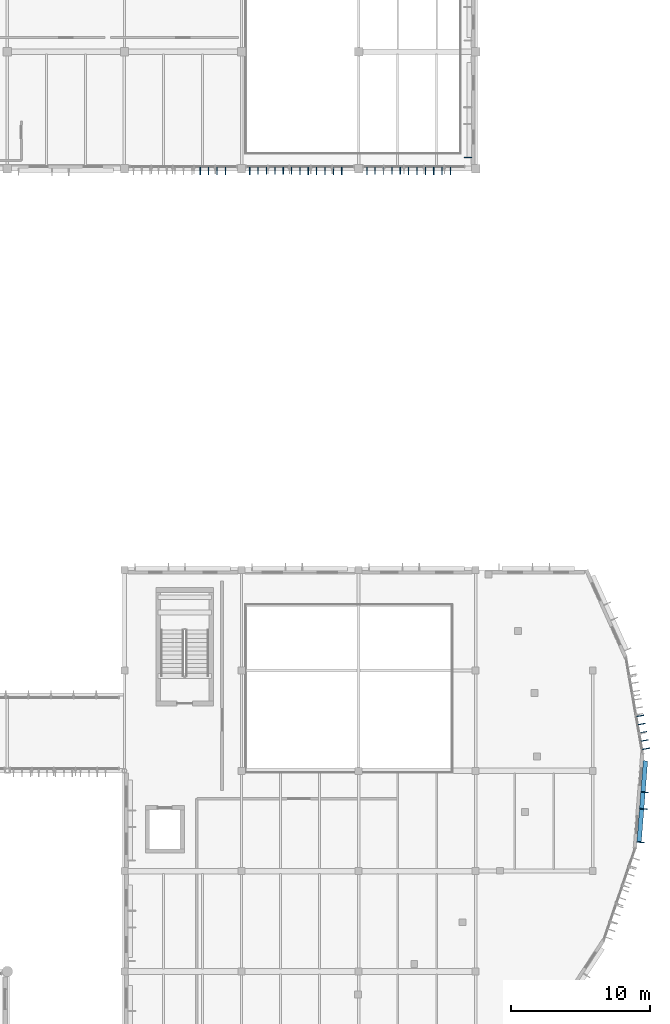
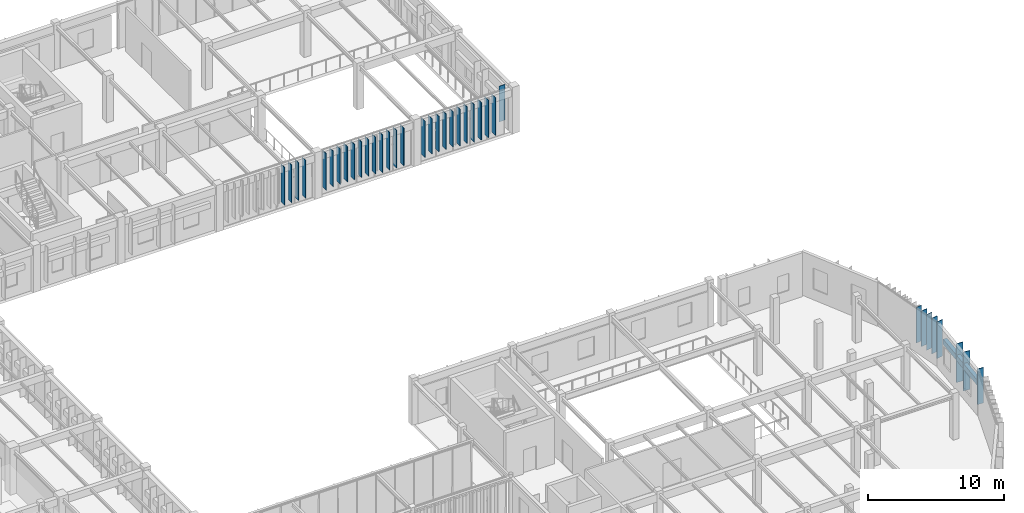
# One storey, part 33 of 122: 37 plates.
"""IFC4 building model written with IfcOpenShell, lengths in metres."""

from ifc_helpers import new_model, si_unit, direction, frame, origin, origin_2d, place, context, subcontext, project, spatial, rectangle, extrude, material, layer, layer_set, type_object, element, save


model = new_model("IFC4")

# Units and contexts
model_context = context("Model", 3, precision=1e-05, world=origin(), true_north=direction((0.0, 1.0)))
body_context = subcontext(model_context, "Body", "Model", "MODEL_VIEW")
ifc_project = project(units=[si_unit("LENGTHUNIT", "METRE"), si_unit("AREAUNIT", "SQUARE_METRE"), si_unit("VOLUMEUNIT", "CUBIC_METRE"), si_unit("PLANEANGLEUNIT", "RADIAN"), si_unit("MASSUNIT", "GRAM", prefix="KILO")], contexts=[model_context])

# Site, building, storey
site_placement = place(None, origin())
site = spatial("IfcSite", under=ifc_project, at=site_placement, CompositionType="ELEMENT")
building_placement = place(site_placement, origin())
building = spatial("IfcBuilding", under=site, at=building_placement, Name="Tazoul Stagehouse", CompositionType="ELEMENT")
storey_placement = place(building_placement, frame((0.0, 0.0, 4.800048828125)))
storey = spatial("IfcBuildingStorey", under=building, at=storey_placement, Name="L01", CompositionType="ELEMENT", Elevation=4.800048828125)

# Plates
ifc_material = material(Name="Anodised Bronze Aluminium 6063-T6", Category="aluminium")
ifc_layer_1 = layer(ifc_material, 0.52001953125, Name="Anodised Bronze Aluminium 6063-T6")
ifc_layer_set_1 = layer_set([ifc_layer_1], Name="Anodised Bronze Aluminium 6063-T6")
plate_type_1 = type_object("IfcPlateType", Name="Parametric Terracotta-Bronze Solar Fin 520x3200", PredefinedType="USERDEFINED", material=ifc_layer_set_1)
for number, where, z_axis, x_axis, name in (
    (1, (162.4248046875, 39.472900390625, 0.6201171875), (0.0, 0.0, 1.0), (0.078622649876, 0.996904448243, 0.0), "L01 Parametric Solar Fin SFN-18 (WALL-V4-DRUM-L01-S08-S1-01)"),
    (2, (162.72119140625, 46.770751953125, 0.68994140625), (0.0, 0.0, 1.0), (-0.171495809953, 0.985184849238, 0.0), "L01 Parametric Solar Fin SFN-18 (CW-V4-DRUM-L01-S09-02)"),
    (3, (162.618408203125, 47.36181640625, 0.68994140625), (0.0, 0.0, 1.0), (-0.171495809953, 0.985184849238, 0.0), "L01 Parametric Solar Fin SFN-18 (CW-V4-DRUM-L01-S09-03)"),
    (4, (162.515380859375, 47.952880859375, 0.68994140625), (0.0, 0.0, 1.0), (-0.171495809953, 0.985184849238, 0.0), "L01 Parametric Solar Fin SFN-18 (CW-V4-DRUM-L01-S09-04)"),
    (5, (162.41259765625, 48.5439453125, 0.68994140625), (0.0, 0.0, 1.0), (-0.171495809953, 0.985184849238, 0.0), "L01 Parametric Solar Fin SFN-18 (CW-V4-DRUM-L01-S09-05)"),
    (6, (134.989990234375, 87.64990234375, 0.68994140625), (0.0, 0.0, 1.0), (1.0, 0.0, 0.0), "L01 Parametric Solar Fin SFN-18 (CW-V3-S2-L01-B2-02)"),
    (7, (135.590087890625, 87.64990234375, 0.68994140625), (0.0, 0.0, 1.0), (1.0, 0.0, 0.0), "L01 Parametric Solar Fin SFN-18 (CW-V3-S2-L01-B2-03)"),
    (8, (136.18994140625, 87.64990234375, 0.68994140625), (0.0, 0.0, 1.0), (1.0, 0.0, 0.0), "L01 Parametric Solar Fin SFN-18 (CW-V3-S2-L01-B2-04)"),
    (9, (136.7900390625, 87.64990234375, 0.68994140625), (0.0, 0.0, 1.0), (1.0, 0.0, 0.0), "L01 Parametric Solar Fin SFN-18 (CW-V3-S2-L01-B2-05)"),
    (10, (137.389892578125, 87.64990234375, 0.68994140625), (0.0, 0.0, 1.0), (1.0, 0.0, 0.0), "L01 Parametric Solar Fin SFN-18 (CW-V3-S2-L01-B2-06)"),
    (11, (143.389892578125, 87.64990234375, 0.68994140625), (0.0, 0.0, 1.0), (1.0, 0.0, 0.0), "L01 Parametric Solar Fin SFN-18 (CW-V3-S2-L01-B3-02)"),
    (12, (143.989990234375, 87.64990234375, 0.68994140625), (0.0, 0.0, 1.0), (1.0, 0.0, 0.0), "L01 Parametric Solar Fin SFN-18 (CW-V3-S2-L01-B3-03)"),
    (13, (144.590087890625, 87.64990234375, 0.68994140625), (0.0, 0.0, 1.0), (1.0, 0.0, 0.0), "L01 Parametric Solar Fin SFN-18 (CW-V3-S2-L01-B3-04)"),
    (14, (145.18994140625, 87.64990234375, 0.68994140625), (0.0, 0.0, 1.0), (1.0, 0.0, 0.0), "L01 Parametric Solar Fin SFN-18 (CW-V3-S2-L01-B3-05)"),
    (15, (150.050048828125, 88.60498046875, 0.6201171875), (0.0, 0.0, 1.0), (0.0, 1.0, 0.0), "L01 Parametric Solar Fin SFN-18 (WALL-V3-E-L01-S1-01)"),
):
    element("IfcPlate", number, at=place(storey_placement, frame(where, z_axis=z_axis, x_axis=x_axis)), inside=storey, type_object=plate_type_1, Name=name, ObjectType="SOLAR FIN", PredefinedType="USERDEFINED", context=body_context, shape_type="SweptSolid", body=[
        extrude(rectangle(XDim=0.044921875, YDim=0.52001953125, at=origin_2d()), origin(), (0.0, 0.0, 1.0), 3.199951171875),
    ])
ifc_layer_2 = layer(ifc_material, 0.530029296875, Name="Anodised Bronze Aluminium 6063-T6")
ifc_layer_set_2 = layer_set([ifc_layer_2], Name="Anodised Bronze Aluminium 6063-T6")
plate_type_2 = type_object("IfcPlateType", Name="Parametric Terracotta-Bronze Solar Fin 530x3300", PredefinedType="USERDEFINED", material=ifc_layer_set_2)
for number, where, z_axis, x_axis, name in (
    (16, (162.8291015625, 46.180419921875, 0.58984375), (0.0, 0.0, 1.0), (-0.171495809953, 0.985184849238, 0.0), "L01 Parametric Solar Fin SFN-19 (CW-V4-DRUM-L01-S09-01)"),
    (17, (134.389892578125, 87.64501953125, 0.58984375), (0.0, 0.0, 1.0), (1.0, 0.0, 0.0), "L01 Parametric Solar Fin SFN-19 (CW-V3-S2-L01-B2-01)"),
    (18, (137.989990234375, 87.64501953125, 0.58984375), (0.0, 0.0, 1.0), (1.0, 0.0, 0.0), "L01 Parametric Solar Fin SFN-19 (CW-V3-S2-L01-B2-07)"),
    (19, (138.590087890625, 87.64501953125, 0.58984375), (0.0, 0.0, 1.0), (1.0, 0.0, 0.0), "L01 Parametric Solar Fin SFN-19 (CW-V3-S2-L01-B2-08)"),
    (20, (142.7900390625, 87.64501953125, 0.58984375), (0.0, 0.0, 1.0), (1.0, 0.0, 0.0), "L01 Parametric Solar Fin SFN-19 (CW-V3-S2-L01-B3-01)"),
    (21, (145.7900390625, 87.64501953125, 0.58984375), (0.0, 0.0, 1.0), (1.0, 0.0, 0.0), "L01 Parametric Solar Fin SFN-19 (CW-V3-S2-L01-B3-06)"),
    (22, (146.389892578125, 87.64501953125, 0.58984375), (0.0, 0.0, 1.0), (1.0, 0.0, 0.0), "L01 Parametric Solar Fin SFN-19 (CW-V3-S2-L01-B3-07)"),
):
    element("IfcPlate", number, at=place(storey_placement, frame(where, z_axis=z_axis, x_axis=x_axis)), inside=storey, type_object=plate_type_2, Name=name, ObjectType="SOLAR FIN", PredefinedType="USERDEFINED", context=body_context, shape_type="SweptSolid", body=[
        extrude(rectangle(XDim=0.044921875, YDim=0.530029296875, at=origin_2d()), origin(), (0.0, 0.0, 1.0), 3.300048828125),
    ])
ifc_layer_3 = layer(ifc_material, 0.5400390625, Name="Anodised Bronze Aluminium 6063-T6")
ifc_layer_set_3 = layer_set([ifc_layer_3], Name="Anodised Bronze Aluminium 6063-T6")
plate_type_3 = type_object("IfcPlateType", Name="Parametric Terracotta-Bronze Solar Fin 540x3400", PredefinedType="USERDEFINED", material=ifc_layer_set_3)
for number, where, z_axis, x_axis, name in (
    (23, (130.840087890625, 87.639892578125, 0.489990234375), (0.0, 0.0, 1.0), (1.0, 0.0, 0.0), "L01 Parametric Solar Fin SFN-20 (CW-V3-S2-L01-B1-09)"),
    (24, (131.43994140625, 87.639892578125, 0.489990234375), (0.0, 0.0, 1.0), (1.0, 0.0, 0.0), "L01 Parametric Solar Fin SFN-20 (CW-V3-S2-L01-B1-10)"),
    (25, (132.0400390625, 87.639892578125, 0.489990234375), (0.0, 0.0, 1.0), (1.0, 0.0, 0.0), "L01 Parametric Solar Fin SFN-20 (CW-V3-S2-L01-B1-11)"),
    (26, (132.639892578125, 87.639892578125, 0.489990234375), (0.0, 0.0, 1.0), (1.0, 0.0, 0.0), "L01 Parametric Solar Fin SFN-20 (CW-V3-S2-L01-B1-12)"),
    (27, (139.18994140625, 87.639892578125, 0.489990234375), (0.0, 0.0, 1.0), (1.0, 0.0, 0.0), "L01 Parametric Solar Fin SFN-20 (CW-V3-S2-L01-B2-09)"),
    (28, (139.7900390625, 87.639892578125, 0.489990234375), (0.0, 0.0, 1.0), (1.0, 0.0, 0.0), "L01 Parametric Solar Fin SFN-20 (CW-V3-S2-L01-B2-10)"),
    (29, (140.389892578125, 87.639892578125, 0.489990234375), (0.0, 0.0, 1.0), (1.0, 0.0, 0.0), "L01 Parametric Solar Fin SFN-20 (CW-V3-S2-L01-B2-11)"),
    (30, (140.989990234375, 87.639892578125, 0.489990234375), (0.0, 0.0, 1.0), (1.0, 0.0, 0.0), "L01 Parametric Solar Fin SFN-20 (CW-V3-S2-L01-B2-12)"),
    (31, (146.989990234375, 87.639892578125, 0.489990234375), (0.0, 0.0, 1.0), (1.0, 0.0, 0.0), "L01 Parametric Solar Fin SFN-20 (CW-V3-S2-L01-B3-08)"),
    (32, (147.590087890625, 87.639892578125, 0.489990234375), (0.0, 0.0, 1.0), (1.0, 0.0, 0.0), "L01 Parametric Solar Fin SFN-20 (CW-V3-S2-L01-B3-09)"),
    (33, (148.18994140625, 87.639892578125, 0.489990234375), (0.0, 0.0, 1.0), (1.0, 0.0, 0.0), "L01 Parametric Solar Fin SFN-20 (CW-V3-S2-L01-B3-10)"),
    (34, (148.7900390625, 87.639892578125, 0.489990234375), (0.0, 0.0, 1.0), (1.0, 0.0, 0.0), "L01 Parametric Solar Fin SFN-20 (CW-V3-S2-L01-B3-11)"),
):
    element("IfcPlate", number, at=place(storey_placement, frame(where, z_axis=z_axis, x_axis=x_axis)), inside=storey, type_object=plate_type_3, Name=name, ObjectType="SOLAR FIN", PredefinedType="USERDEFINED", context=body_context, shape_type="SweptSolid", body=[
        extrude(rectangle(XDim=0.044921875, YDim=0.5400390625, at=origin_2d()), origin(), (0.0, 0.0, 1.0), 3.39990234375),
    ])
ifc_layer_4 = layer(ifc_material, 0.550048828125, Name="Anodised Bronze Aluminium 6063-T6")
ifc_layer_set_4 = layer_set([ifc_layer_4], Name="Anodised Bronze Aluminium 6063-T6")
plate_type_4 = type_object("IfcPlateType", Name="Parametric Terracotta-Bronze Solar Fin 550x3500", PredefinedType="USERDEFINED", material=ifc_layer_set_4)
for number, where, z_axis, x_axis, name in (
    (35, (162.62841796875, 41.8642578125, 0.320068359375), (0.0, 0.0, 1.0), (0.078622649876, 0.996904448243, 0.0), "L01 Parametric Solar Fin SFN-21 (WALL-V4-DRUM-L01-S08-S1-03)"),
    (36, (162.72265625, 43.060546875, 0.320068359375), (0.0, 0.0, 1.0), (0.078622649876, 0.996904448243, 0.0), "L01 Parametric Solar Fin SFN-21 (WALL-V4-DRUM-L01-S08-S1-04)"),
):
    element("IfcPlate", number, at=place(storey_placement, frame(where, z_axis=z_axis, x_axis=x_axis)), inside=storey, type_object=plate_type_4, Name=name, ObjectType="SOLAR FIN", PredefinedType="USERDEFINED", context=body_context, shape_type="SweptSolid", body=[
        extrude(rectangle(XDim=0.044921875, YDim=0.550048828125, at=origin_2d()), origin(), (0.0, 0.0, 1.0), 3.5),
    ])
ifc_layer_5 = layer(ifc_material, 0.320068359375, Name="Anodised Bronze Aluminium 6063-T6")
ifc_layer_set_5 = layer_set([ifc_layer_5], Name="Anodised Bronze Aluminium 6063-T6")
plate_type_5 = type_object("IfcPlateType", Name="Sculpted Facade Spandrel Ribbon 5800x480", PredefinedType="USERDEFINED", material=ifc_layer_set_5)
plate_placement = place(storey_placement, frame((162.557373046875, 42.4267578125, 2.321044921875), z_axis=(0.0, 0.0, 1.0), x_axis=(0.078622649876, 0.996904448243, 0.0)))
element("IfcPlate", 37, at=plate_placement, inside=storey, type_object=plate_type_5, Name="L01 Sculpted Facade Spandrel Ribbon FRB-08 (WALL-V4-DRUM-L01-S08-S1)", ObjectType="FACADE RIBBON", PredefinedType="USERDEFINED", context=body_context, shape_type="SweptSolid", body=[
    extrude(rectangle(XDim=5.800048828125, YDim=0.320068359375, at=origin_2d()), origin(), (0.0, 0.0, 1.0), 0.47998046875),
])

save(model, "model.ifc")
